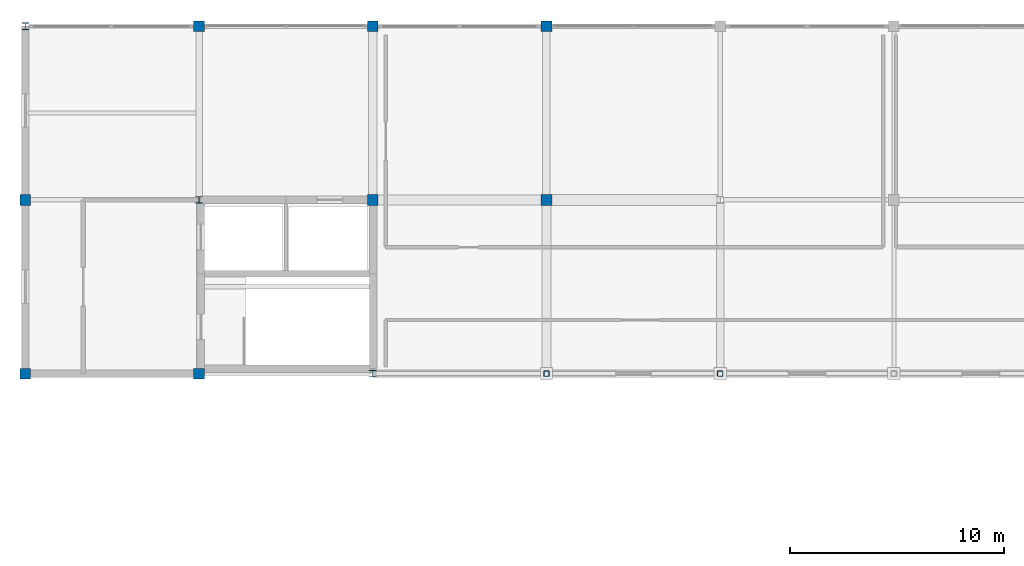
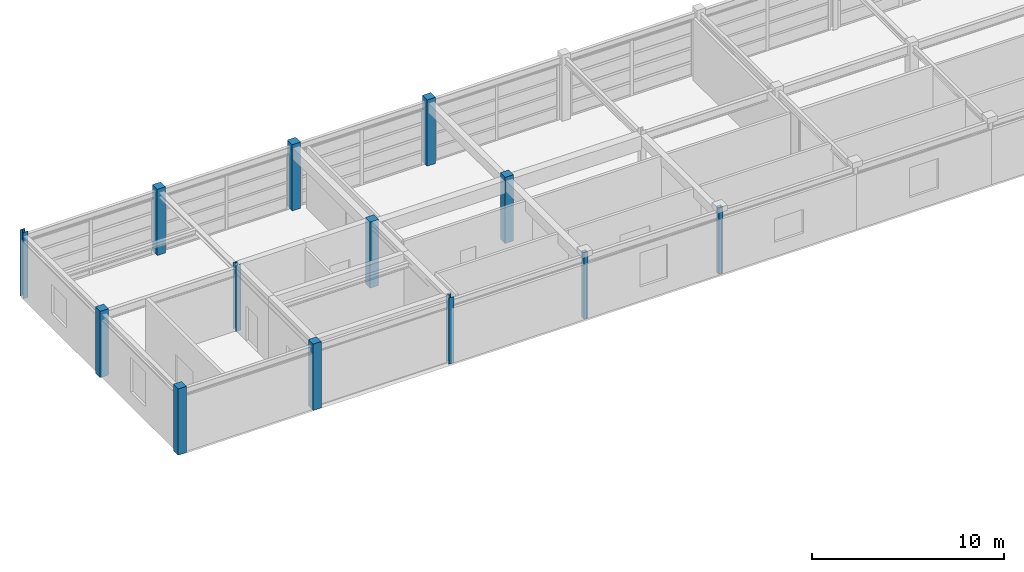
# One storey, part 1 of 19: 13 columns.
"""IFC4 building model written with IfcOpenShell, lengths in metres."""

from ifc_helpers import new_model, si_unit, direction, frame, origin, origin_2d, place, context, subcontext, project, spatial, rectangle, hollow_rectangle, i_section, extrude, material, material_profile, profile_set, type_object, element, save


model = new_model("IFC4")

# Units and contexts
model_context = context("Model", 3, precision=1e-05, world=origin(), true_north=direction((0.0, 1.0)))
body_context = subcontext(model_context, "Body", "Model", "MODEL_VIEW")
ifc_project = project(units=[si_unit("LENGTHUNIT", "METRE"), si_unit("AREAUNIT", "SQUARE_METRE"), si_unit("VOLUMEUNIT", "CUBIC_METRE"), si_unit("PLANEANGLEUNIT", "RADIAN"), si_unit("MASSUNIT", "GRAM", prefix="KILO")], contexts=[model_context])

# Site, building, storey
site_placement = place(None, origin())
site = spatial("IfcSite", under=ifc_project, at=site_placement, CompositionType="ELEMENT")
building_placement = place(site_placement, origin())
building = spatial("IfcBuilding", under=site, at=building_placement, Name="Parian Resonance Hall", CompositionType="ELEMENT")
storey_placement = place(building_placement, frame((0.0, 0.0, 23.39990234375)))
storey = spatial("IfcBuildingStorey", under=building, at=storey_placement, Name="L05", CompositionType="ELEMENT", Elevation=23.39990234375)

# Columns
ifc_material_1 = material(Name="Concrete C40/50", Category="concrete")
ifc_material_profile_1 = material_profile(ifc_material_1, rectangle(XDim=0.5, YDim=0.5, at=origin_2d()), Name="RC-COL-500x500")
ifc_profile_set_1 = profile_set([ifc_material_profile_1], Name="Concrete C40/50")
column_type_1 = type_object("IfcColumnType", Name="COL-RC500", PredefinedType="COLUMN", material=ifc_profile_set_1)
for number, where, z_axis, x_axis, name in (
    (1, (48.60009765625, 72.89990234375, 0.0), (0.0, 0.0, 1.0), (1.0, 0.0, 0.0), "Column G07-10 L05"),
    (2, (48.60009765625, 81.0, 0.0), (0.0, 0.0, 1.0), (1.0, 0.0, 0.0), "Column G07-11 L05"),
    (3, (56.699951171875, 72.89990234375, 0.0), (0.0, 0.0, 1.0), (1.0, 0.0, 0.0), "Column G08-10 L05"),
    (4, (56.699951171875, 89.10009765625, 0.0), (0.0, 0.0, 1.0), (1.0, 0.0, 0.0), "Column G08-12 L05"),
    (5, (64.800048828125, 81.0, 0.0), (0.0, 0.0, 1.0), (1.0, 0.0, 0.0), "Column G09-11 L05"),
    (6, (64.800048828125, 89.10009765625, 0.0), (0.0, 0.0, 1.0), (1.0, 0.0, 0.0), "Column G09-12 L05"),
    (7, (72.89990234375, 81.0, 0.0), (0.0, 0.0, 1.0), (1.0, 0.0, 0.0), "Column G10-11 L05"),
    (8, (72.89990234375, 89.10009765625, 0.0), (0.0, 0.0, 1.0), (1.0, 0.0, 0.0), "Column G10-12 L05"),
):
    element("IfcColumn", number, at=place(storey_placement, frame(where, z_axis=z_axis, x_axis=x_axis)), inside=storey, type_object=column_type_1, Name=name, PredefinedType="COLUMN", context=body_context, shape_type="SweptSolid", body=[
        extrude(rectangle(XDim=0.5, YDim=0.5, at=origin_2d()), origin(), (0.0, 0.0, 1.0), 4.2001953125),
    ])
ifc_material_2 = material(Name="Hollow structural steel S355", Category="steel")
ifc_material_profile_2 = material_profile(ifc_material_2, hollow_rectangle(XDim=0.25, YDim=0.25, WallThickness=0.012451171875, InnerFilletRadius=0.012451171875, OuterFilletRadius=0.02490234375, at=origin_2d()), Name="SHS250x250x12.5")
ifc_profile_set_2 = profile_set([ifc_material_profile_2], Name="Hollow structural steel S355")
column_type_2 = type_object("IfcColumnType", Name="COL-SHS250", PredefinedType="COLUMN", material=ifc_profile_set_2)
for number, where, z_axis, x_axis, name in (
    (9, (72.89990234375, 72.89990234375, 0.0), (0.0, 0.0, 1.0), (1.0, 0.0, 0.0), "Column G10-10 L05"),
    (10, (81.0, 72.89990234375, 0.0), (0.0, 0.0, 1.0), (1.0, 0.0, 0.0), "Column G11-10 L05"),
):
    element("IfcColumn", number, at=place(storey_placement, frame(where, z_axis=z_axis, x_axis=x_axis)), inside=storey, type_object=column_type_2, Name=name, PredefinedType="COLUMN", context=body_context, shape_type="SweptSolid", body=[
        extrude(hollow_rectangle(XDim=0.25, YDim=0.25, WallThickness=0.012451171875, InnerFilletRadius=0.012451171875, OuterFilletRadius=0.02490234375, at=origin_2d()), origin(), (0.0, 0.0, 1.0), 4.2001953125),
    ])
ifc_material_3 = material(Name="Steel S355", Category="steel")
ifc_material_profile_3 = material_profile(ifc_material_3, i_section(OverallWidth=0.304931640625, OverallDepth=0.30810546875, WebThickness=0.010009765625, FlangeThickness=0.015380859375, FilletRadius=0.01513671875, at=origin_2d()), Name="W310x97")
ifc_profile_set_3 = profile_set([ifc_material_profile_3], Name="Steel S355")
column_type_3 = type_object("IfcColumnType", Name="COL-W310", PredefinedType="COLUMN", material=ifc_profile_set_3)
for number, where, z_axis, x_axis, name in (
    (11, (48.60009765625, 89.10009765625, 0.0), (0.0, 0.0, 1.0), (1.0, 0.0, 0.0), "Column G07-12 L05"),
    (12, (56.699951171875, 81.0, 0.0), (0.0, 0.0, 1.0), (1.0, 0.0, 0.0), "Column G08-11 L05"),
    (13, (64.800048828125, 72.89990234375, 0.0), (0.0, 0.0, 1.0), (1.0, 0.0, 0.0), "Column G09-10 L05"),
):
    element("IfcColumn", number, at=place(storey_placement, frame(where, z_axis=z_axis, x_axis=x_axis)), inside=storey, type_object=column_type_3, Name=name, PredefinedType="COLUMN", context=body_context, shape_type="SweptSolid", body=[
        extrude(i_section(OverallWidth=0.304931640625, OverallDepth=0.30810546875, WebThickness=0.010009765625, FlangeThickness=0.015380859375, FilletRadius=0.01513671875, at=origin_2d()), origin(), (0.0, 0.0, 1.0), 4.2001953125),
    ])

save(model, "model.ifc")
